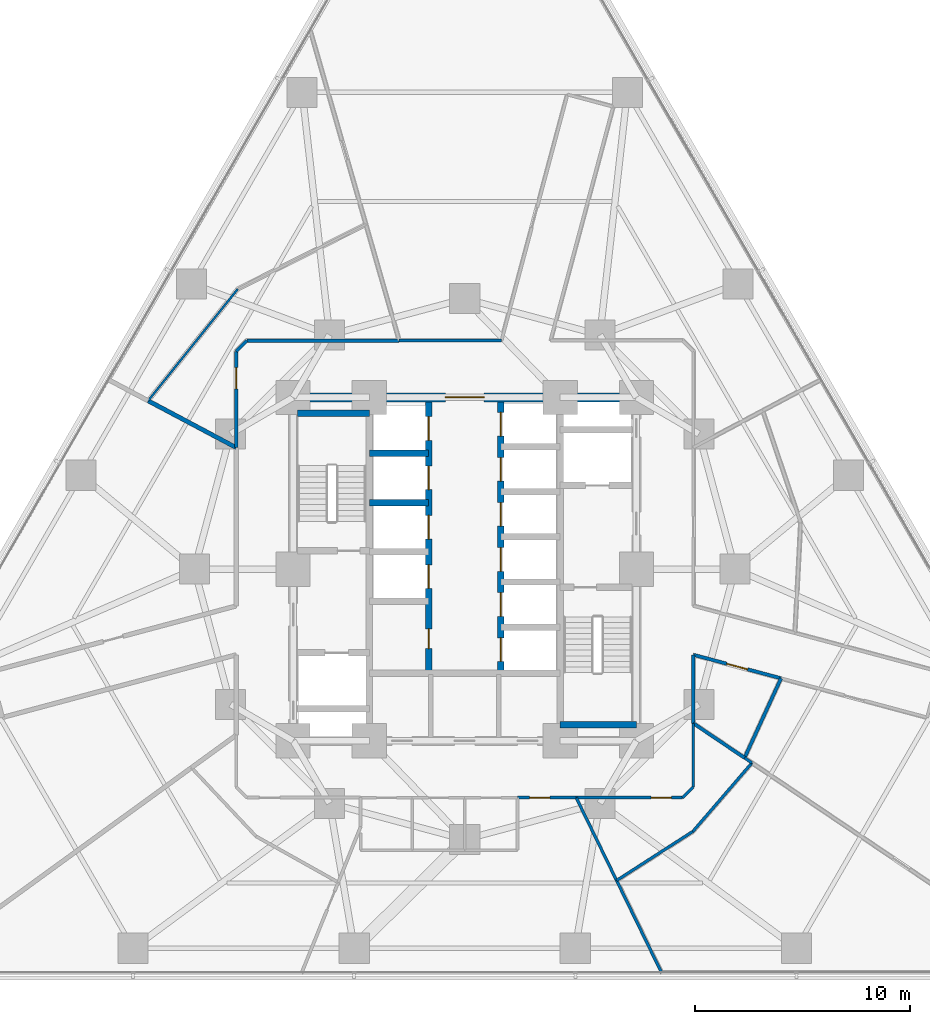
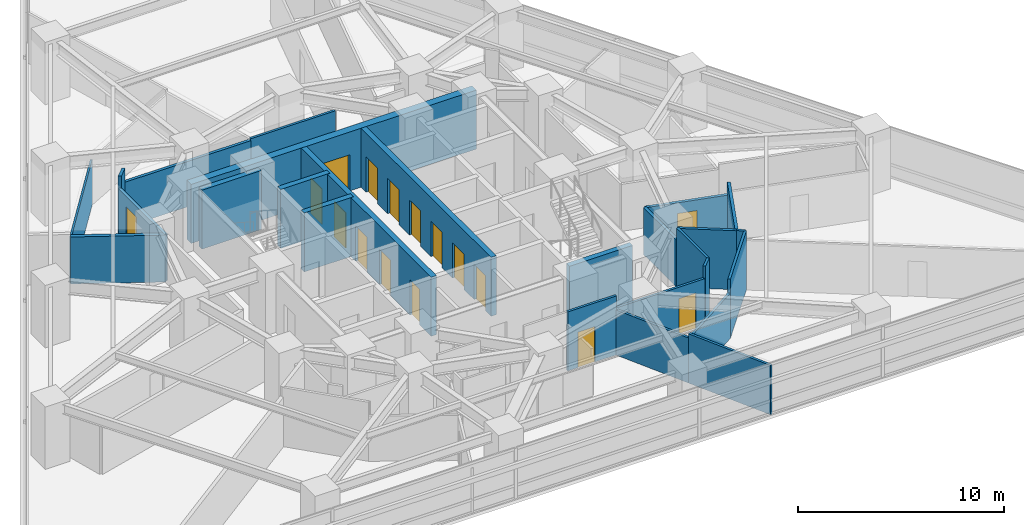
# One storey, part 9 of 16: 26 walls, 16 doors, 16 openings.
"""IFC4 building model written with IfcOpenShell, lengths in metres."""

from ifc_helpers import new_model, si_unit, direction, frame, frame_2d, origin, place, context, subcontext, project, spatial, rectangle, extrude, material, layer, layer_set, type_object, element, fill, save


model = new_model("IFC4")

# Units and contexts
model_context = context("Model", 3, precision=1e-05, world=origin(), true_north=direction((0.0, 1.0)))
body_context = subcontext(model_context, "Body", "Model", "MODEL_VIEW")
ifc_project = project(units=[si_unit("LENGTHUNIT", "METRE"), si_unit("AREAUNIT", "SQUARE_METRE"), si_unit("VOLUMEUNIT", "CUBIC_METRE"), si_unit("PLANEANGLEUNIT", "RADIAN"), si_unit("MASSUNIT", "GRAM", prefix="KILO")], contexts=[model_context])

# Site, building, storey
site_placement = place(None, origin())
site = spatial("IfcSite", under=ifc_project, at=site_placement, CompositionType="ELEMENT")
building_placement = place(site_placement, origin())
building = spatial("IfcBuilding", under=site, at=building_placement, Name="Terralouvre Media Tower", CompositionType="ELEMENT")
storey_placement = place(building_placement, frame((0.0, 0.0, 40.800048828125)))
storey = spatial("IfcBuildingStorey", under=building, at=storey_placement, Name="L09", CompositionType="ELEMENT", Elevation=40.800048828125)

# Walls
ifc_material_1 = material(Name="Concrete C50/60", Category="concrete")
ifc_layer_1 = layer(ifc_material_1, 0.300048828125, Name="Core Internal Shaft Wall CW-300")
ifc_layer_set_1 = layer_set([ifc_layer_1], Name="Concrete C50/60")
wall_type_1 = type_object("IfcWallType", Name="Core Internal Shaft Wall CW-300", PredefinedType="SHEAR", material=ifc_layer_set_1)
wall_1_placement = place(storey_placement, frame((-7.7900390625, 7.260009765625, 0.0), z_axis=(0.0, 0.0, 1.0), x_axis=(1.0, 0.0, 0.0)))
element("IfcWall", 1, at=wall_1_placement, inside=storey, type_object=wall_type_1, Name="L09 Core Shaft Wall ST1F", PredefinedType="SHEAR", context=body_context, shape_type="SweptSolid", body=[
    extrude(rectangle(XDim=3.340087890625, YDim=0.300048828125, at=frame_2d((1.669921875, 0.0))), origin(), (0.0, 0.0, 1.0), 3.5),
])
wall_2_placement = place(storey_placement, frame((4.449951171875, -7.260009765625, 0.0), z_axis=(0.0, 0.0, 1.0), x_axis=(1.0, 0.0, 0.0)))
element("IfcWall", 2, at=wall_2_placement, inside=storey, type_object=wall_type_1, Name="L09 Core Shaft Wall ST2F", PredefinedType="SHEAR", context=body_context, shape_type="SweptSolid", body=[
    extrude(rectangle(XDim=3.550048828125, YDim=0.300048828125, at=frame_2d((1.77490234375, 0.0))), origin(), (0.0, 0.0, 1.0), 3.5),
])

# Wall, openings, doors
wall_3_placement = place(storey_placement, frame((-1.679931640625, -4.85009765625, 0.0), z_axis=(0.0, 0.0, 1.0), x_axis=(0.0, 1.0, 0.0)))
wall_3 = element("IfcWall", 3, at=wall_3_placement, inside=storey, type_object=wall_type_1, Name="L09 Core Shaft Wall LBW", PredefinedType="SHEAR", context=body_context, shape_type="SweptSolid", body=[
    extrude(rectangle(XDim=12.64013671875, YDim=0.300048828125, at=frame_2d((6.320068359375, 0.0))), origin(), (0.0, 0.0, 1.0), 3.5),
])
opening_1_placement = place(wall_3_placement, frame((3.949951171875, 0.0, 0.0)))
opening_1 = element("IfcOpeningElement", 4, at=opening_1_placement, cuts=wall_3, Name="Opening LD-PL", PredefinedType="OPENING", context=body_context, shape_type="SweptSolid", body=[
    extrude(rectangle(XDim=1.10009765625, YDim=2.10009765625, at=frame_2d((0.550048828125, 1.050048828125))), frame((0.0, 0.159912109375, 0.0), z_axis=(0.0, -1.0, 0.0), x_axis=(1.0, 0.0, 0.0)), (0.0, 0.0, 1.0), 0.320068359375),
])
opening_2_placement = place(wall_3_placement, frame((6.25, 0.0, 0.0)))
opening_2 = element("IfcOpeningElement", 5, at=opening_2_placement, cuts=wall_3, Name="Opening LD-PL", PredefinedType="OPENING", context=body_context, shape_type="SweptSolid", body=[
    extrude(rectangle(XDim=1.10009765625, YDim=2.10009765625, at=frame_2d((0.550048828125, 1.050048828125))), frame((0.0, 0.159912109375, 0.0), z_axis=(0.0, -1.0, 0.0), x_axis=(1.0, 0.0, 0.0)), (0.0, 0.0, 1.0), 0.320068359375),
])
opening_3_placement = place(wall_3_placement, frame((8.550048828125, 0.0, 0.0)))
opening_3 = element("IfcOpeningElement", 6, at=opening_3_placement, cuts=wall_3, Name="Opening LD-PL", PredefinedType="OPENING", context=body_context, shape_type="SweptSolid", body=[
    extrude(rectangle(XDim=1.10009765625, YDim=2.10009765625, at=frame_2d((0.550048828125, 1.050048828125))), frame((0.0, 0.159912109375, 0.0), z_axis=(0.0, -1.0, 0.0), x_axis=(1.0, 0.0, 0.0)), (0.0, 0.0, 1.0), 0.320068359375),
])
opening_4_placement = place(wall_3_placement, frame((10.85009765625, 0.0, 0.0)))
opening_4 = element("IfcOpeningElement", 7, at=opening_4_placement, cuts=wall_3, Name="Opening LD-PL", PredefinedType="OPENING", context=body_context, shape_type="SweptSolid", body=[
    extrude(rectangle(XDim=1.10009765625, YDim=2.10009765625, at=frame_2d((0.550048828125, 1.050048828125))), frame((0.0, 0.159912109375, 0.0), z_axis=(0.0, -1.0, 0.0), x_axis=(1.0, 0.0, 0.0)), (0.0, 0.0, 1.0), 0.320068359375),
])
opening_5_placement = place(wall_3_placement, frame((1.14990234375, 0.0, 0.0)))
opening_5 = element("IfcOpeningElement", 8, at=opening_5_placement, cuts=wall_3, Name="Opening FD-05-92X210", PredefinedType="OPENING", context=body_context, shape_type="SweptSolid", body=[
    extrude(rectangle(XDim=0.919921875, YDim=2.10009765625, at=frame_2d((0.4599609375, 1.050048828125))), frame((0.0, 0.159912109375, 0.0), z_axis=(0.0, -1.0, 0.0), x_axis=(1.0, 0.0, 0.0)), (0.0, 0.0, 1.0), 0.320068359375),
])
ifc_material_2 = material(Name="Galvanised steel fire-resisting leaf", Category="steel")
door_type_1 = type_object("IfcDoorType", Name="Core Accessible Closet Fire Door FD-05 (920x2100)", OperationType="NOTDEFINED", PredefinedType="DOOR", material=ifc_material_2)
door_1_placement = place(opening_5_placement, origin())
door_1 = element("IfcDoor", 9, at=door_1_placement, inside=storey, type_object=door_type_1, Name="L09 Core Cleaners Closet Door", OperationType="SINGLE_SWING_LEFT", OverallHeight=2.10009765625, OverallWidth=0.919921875, PredefinedType="DOOR", context=body_context, shape_type="SweptSolid", body=[
    extrude(rectangle(XDim=0.919921875, YDim=2.10009765625, at=frame_2d((0.4599609375, 1.050048828125))), frame((0.0, 0.02490234375, 0.0), z_axis=(0.0, -1.0, 0.0), x_axis=(1.0, 0.0, 0.0)), (0.0, 0.0, 1.0), 0.050048828125),
])
fill(opening_5, door_1)
ifc_material_3 = material(Name="Stainless steel 316 handrail and balustrade", Category="steel")
door_type_2 = type_object("IfcDoorType", Name="Passenger Lift Sliding Landing Door LD-PL", OperationType="SLIDING_TO_LEFT", PredefinedType="DOOR", material=ifc_material_3)
door_2_placement = place(opening_1_placement, origin())
door_2 = element("IfcDoor", 10, at=door_2_placement, inside=storey, type_object=door_type_2, Name="L09 Low-Rise Lift PL-L1 Landing Door", OperationType="SLIDING_TO_LEFT", OverallHeight=2.10009765625, OverallWidth=1.10009765625, PredefinedType="DOOR", context=body_context, shape_type="SweptSolid", body=[
    extrude(rectangle(XDim=1.10009765625, YDim=2.10009765625, at=frame_2d((0.550048828125, 1.050048828125))), frame((0.0, 0.02490234375, 0.0), z_axis=(0.0, -1.0, 0.0), x_axis=(1.0, 0.0, 0.0)), (0.0, 0.0, 1.0), 0.050048828125),
])
fill(opening_1, door_2)
door_3_placement = place(opening_2_placement, origin())
door_3 = element("IfcDoor", 11, at=door_3_placement, inside=storey, type_object=door_type_2, Name="L09 Low-Rise Lift PL-L2 Landing Door", OperationType="SLIDING_TO_LEFT", OverallHeight=2.10009765625, OverallWidth=1.10009765625, PredefinedType="DOOR", context=body_context, shape_type="SweptSolid", body=[
    extrude(rectangle(XDim=1.10009765625, YDim=2.10009765625, at=frame_2d((0.550048828125, 1.050048828125))), frame((0.0, 0.02490234375, 0.0), z_axis=(0.0, -1.0, 0.0), x_axis=(1.0, 0.0, 0.0)), (0.0, 0.0, 1.0), 0.050048828125),
])
fill(opening_2, door_3)
door_4_placement = place(opening_3_placement, origin())
door_4 = element("IfcDoor", 12, at=door_4_placement, inside=storey, type_object=door_type_2, Name="L09 Low-Rise Lift PL-L3 Landing Door", OperationType="SLIDING_TO_LEFT", OverallHeight=2.10009765625, OverallWidth=1.10009765625, PredefinedType="DOOR", context=body_context, shape_type="SweptSolid", body=[
    extrude(rectangle(XDim=1.10009765625, YDim=2.10009765625, at=frame_2d((0.550048828125, 1.050048828125))), frame((0.0, 0.02490234375, 0.0), z_axis=(0.0, -1.0, 0.0), x_axis=(1.0, 0.0, 0.0)), (0.0, 0.0, 1.0), 0.050048828125),
])
fill(opening_3, door_4)
door_5_placement = place(opening_4_placement, origin())
door_5 = element("IfcDoor", 13, at=door_5_placement, inside=storey, type_object=door_type_2, Name="L09 Low-Rise Lift PL-L4 Landing Door", OperationType="SLIDING_TO_LEFT", OverallHeight=2.10009765625, OverallWidth=1.10009765625, PredefinedType="DOOR", context=body_context, shape_type="SweptSolid", body=[
    extrude(rectangle(XDim=1.10009765625, YDim=2.10009765625, at=frame_2d((0.550048828125, 1.050048828125))), frame((0.0, 0.02490234375, 0.0), z_axis=(0.0, -1.0, 0.0), x_axis=(1.0, 0.0, 0.0)), (0.0, 0.0, 1.0), 0.050048828125),
])
fill(opening_4, door_5)

wall_4_placement = place(storey_placement, frame((1.679931640625, -4.85009765625, 0.0), z_axis=(0.0, 0.0, 1.0), x_axis=(0.0, 1.0, 0.0)))
wall_4 = element("IfcWall", 14, at=wall_4_placement, inside=storey, type_object=wall_type_1, Name="L09 Core Shaft Wall LBE", PredefinedType="SHEAR", context=body_context, shape_type="SweptSolid", body=[
    extrude(rectangle(XDim=12.64013671875, YDim=0.300048828125, at=frame_2d((6.320068359375, 0.0))), origin(), (0.0, 0.0, 1.0), 3.5),
])
opening_6_placement = place(wall_4_placement, frame((0.550048828125, 0.0, 0.0)))
opening_6 = element("IfcOpeningElement", 15, at=opening_6_placement, cuts=wall_4, Name="Opening LD-PL", PredefinedType="OPENING", context=body_context, shape_type="SweptSolid", body=[
    extrude(rectangle(XDim=1.10009765625, YDim=2.10009765625, at=frame_2d((0.550048828125, 1.050048828125))), frame((0.0, 0.159912109375, 0.0), z_axis=(0.0, -1.0, 0.0), x_axis=(1.0, 0.0, 0.0)), (0.0, 0.0, 1.0), 0.320068359375),
])
opening_7_placement = place(wall_4_placement, frame((2.64990234375, 0.0, 0.0)))
opening_7 = element("IfcOpeningElement", 16, at=opening_7_placement, cuts=wall_4, Name="Opening LD-PL", PredefinedType="OPENING", context=body_context, shape_type="SweptSolid", body=[
    extrude(rectangle(XDim=1.10009765625, YDim=2.10009765625, at=frame_2d((0.550048828125, 1.050048828125))), frame((0.0, 0.159912109375, 0.0), z_axis=(0.0, -1.0, 0.0), x_axis=(1.0, 0.0, 0.0)), (0.0, 0.0, 1.0), 0.320068359375),
])
opening_8_placement = place(wall_4_placement, frame((4.75, 0.0, 0.0)))
opening_8 = element("IfcOpeningElement", 17, at=opening_8_placement, cuts=wall_4, Name="Opening LD-PL", PredefinedType="OPENING", context=body_context, shape_type="SweptSolid", body=[
    extrude(rectangle(XDim=1.10009765625, YDim=2.10009765625, at=frame_2d((0.550048828125, 1.050048828125))), frame((0.0, 0.159912109375, 0.0), z_axis=(0.0, -1.0, 0.0), x_axis=(1.0, 0.0, 0.0)), (0.0, 0.0, 1.0), 0.320068359375),
])
opening_9_placement = place(wall_4_placement, frame((6.85009765625, 0.0, 0.0)))
opening_9 = element("IfcOpeningElement", 18, at=opening_9_placement, cuts=wall_4, Name="Opening LD-PL", PredefinedType="OPENING", context=body_context, shape_type="SweptSolid", body=[
    extrude(rectangle(XDim=1.10009765625, YDim=2.10009765625, at=frame_2d((0.550048828125, 1.050048828125))), frame((0.0, 0.159912109375, 0.0), z_axis=(0.0, -1.0, 0.0), x_axis=(1.0, 0.0, 0.0)), (0.0, 0.0, 1.0), 0.320068359375),
])
opening_10_placement = place(wall_4_placement, frame((8.949951171875, 0.0, 0.0)))
opening_10 = element("IfcOpeningElement", 19, at=opening_10_placement, cuts=wall_4, Name="Opening LD-PL", PredefinedType="OPENING", context=body_context, shape_type="SweptSolid", body=[
    extrude(rectangle(XDim=1.10009765625, YDim=2.10009765625, at=frame_2d((0.550048828125, 1.050048828125))), frame((0.0, 0.159912109375, 0.0), z_axis=(0.0, -1.0, 0.0), x_axis=(1.0, 0.0, 0.0)), (0.0, 0.0, 1.0), 0.320068359375),
])
opening_11_placement = place(wall_4_placement, frame((11.050048828125, 0.0, 0.0)))
opening_11 = element("IfcOpeningElement", 20, at=opening_11_placement, cuts=wall_4, Name="Opening LD-PL", PredefinedType="OPENING", context=body_context, shape_type="SweptSolid", body=[
    extrude(rectangle(XDim=1.10009765625, YDim=2.10009765625, at=frame_2d((0.550048828125, 1.050048828125))), frame((0.0, 0.159912109375, 0.0), z_axis=(0.0, -1.0, 0.0), x_axis=(1.0, 0.0, 0.0)), (0.0, 0.0, 1.0), 0.320068359375),
])
door_6_placement = place(opening_6_placement, origin())
door_6 = element("IfcDoor", 21, at=door_6_placement, inside=storey, type_object=door_type_2, Name="L09 High-Rise Lift PL-H1 Landing Door", OperationType="SLIDING_TO_LEFT", OverallHeight=2.10009765625, OverallWidth=1.10009765625, PredefinedType="DOOR", context=body_context, shape_type="SweptSolid", body=[
    extrude(rectangle(XDim=1.10009765625, YDim=2.10009765625, at=frame_2d((0.550048828125, 1.050048828125))), frame((0.0, 0.02490234375, 0.0), z_axis=(0.0, -1.0, 0.0), x_axis=(1.0, 0.0, 0.0)), (0.0, 0.0, 1.0), 0.050048828125),
])
fill(opening_6, door_6)
door_7_placement = place(opening_7_placement, origin())
door_7 = element("IfcDoor", 22, at=door_7_placement, inside=storey, type_object=door_type_2, Name="L09 High-Rise Lift PL-H2 Landing Door", OperationType="SLIDING_TO_LEFT", OverallHeight=2.10009765625, OverallWidth=1.10009765625, PredefinedType="DOOR", context=body_context, shape_type="SweptSolid", body=[
    extrude(rectangle(XDim=1.10009765625, YDim=2.10009765625, at=frame_2d((0.550048828125, 1.050048828125))), frame((0.0, 0.02490234375, 0.0), z_axis=(0.0, -1.0, 0.0), x_axis=(1.0, 0.0, 0.0)), (0.0, 0.0, 1.0), 0.050048828125),
])
fill(opening_7, door_7)
door_8_placement = place(opening_8_placement, origin())
door_8 = element("IfcDoor", 23, at=door_8_placement, inside=storey, type_object=door_type_2, Name="L09 High-Rise Lift PL-H3 Landing Door", OperationType="SLIDING_TO_LEFT", OverallHeight=2.10009765625, OverallWidth=1.10009765625, PredefinedType="DOOR", context=body_context, shape_type="SweptSolid", body=[
    extrude(rectangle(XDim=1.10009765625, YDim=2.10009765625, at=frame_2d((0.550048828125, 1.050048828125))), frame((0.0, 0.02490234375, 0.0), z_axis=(0.0, -1.0, 0.0), x_axis=(1.0, 0.0, 0.0)), (0.0, 0.0, 1.0), 0.050048828125),
])
fill(opening_8, door_8)
door_9_placement = place(opening_9_placement, origin())
door_9 = element("IfcDoor", 24, at=door_9_placement, inside=storey, type_object=door_type_2, Name="L09 Mid-Rise Lift PL-M1 Landing Door", OperationType="SLIDING_TO_LEFT", OverallHeight=2.10009765625, OverallWidth=1.10009765625, PredefinedType="DOOR", context=body_context, shape_type="SweptSolid", body=[
    extrude(rectangle(XDim=1.10009765625, YDim=2.10009765625, at=frame_2d((0.550048828125, 1.050048828125))), frame((0.0, 0.02490234375, 0.0), z_axis=(0.0, -1.0, 0.0), x_axis=(1.0, 0.0, 0.0)), (0.0, 0.0, 1.0), 0.050048828125),
])
fill(opening_9, door_9)
door_10_placement = place(opening_10_placement, origin())
door_10 = element("IfcDoor", 25, at=door_10_placement, inside=storey, type_object=door_type_2, Name="L09 Mid-Rise Lift PL-M2 Landing Door", OperationType="SLIDING_TO_LEFT", OverallHeight=2.10009765625, OverallWidth=1.10009765625, PredefinedType="DOOR", context=body_context, shape_type="SweptSolid", body=[
    extrude(rectangle(XDim=1.10009765625, YDim=2.10009765625, at=frame_2d((0.550048828125, 1.050048828125))), frame((0.0, 0.02490234375, 0.0), z_axis=(0.0, -1.0, 0.0), x_axis=(1.0, 0.0, 0.0)), (0.0, 0.0, 1.0), 0.050048828125),
])
fill(opening_10, door_10)
door_11_placement = place(opening_11_placement, origin())
door_11 = element("IfcDoor", 26, at=door_11_placement, inside=storey, type_object=door_type_2, Name="L09 Mid-Rise Lift PL-M3 Landing Door", OperationType="SLIDING_TO_LEFT", OverallHeight=2.10009765625, OverallWidth=1.10009765625, PredefinedType="DOOR", context=body_context, shape_type="SweptSolid", body=[
    extrude(rectangle(XDim=1.10009765625, YDim=2.10009765625, at=frame_2d((0.550048828125, 1.050048828125))), frame((0.0, 0.02490234375, 0.0), z_axis=(0.0, -1.0, 0.0), x_axis=(1.0, 0.0, 0.0)), (0.0, 0.0, 1.0), 0.050048828125),
])
fill(opening_11, door_11)

# Walls
for number, where, z_axis, x_axis, name in (
    (27, (-4.449951171875, 3.10009765625, 0.0), (0.0, 0.0, 1.0), (1.0, 0.0, 0.0), "L09 Core Shaft Wall PLLD2"),
    (28, (-4.449951171875, 5.39990234375, 0.0), (0.0, 0.0, 1.0), (1.0, 0.0, 0.0), "L09 Core Shaft Wall PLLD3"),
):
    element("IfcWall", number, at=place(storey_placement, frame(where, z_axis=z_axis, x_axis=x_axis)), inside=storey, type_object=wall_type_1, Name=name, PredefinedType="SHEAR", context=body_context, shape_type="SweptSolid", body=[
        extrude(rectangle(XDim=2.77001953125, YDim=0.300048828125, at=frame_2d((1.385009765625, 0.0))), origin(), (0.0, 0.0, 1.0), 3.5),
    ])

# Wall, opening, door
ifc_material_4 = material(Name="Concrete C60/75", Category="concrete")
ifc_layer_2 = layer(ifc_material_4, 0.419921875, Name="Core Reinforced Concrete Shear Wall CW-420")
ifc_layer_set_2 = layer_set([ifc_layer_2], Name="Concrete C60/75")
wall_type_2 = type_object("IfcWallType", Name="Core Reinforced Concrete Shear Wall CW-420", PredefinedType="SHEAR", material=ifc_layer_set_2)
wall_5_placement = place(storey_placement, frame((-8.0, 8.0, 0.0), z_axis=(0.0, 0.0, 1.0), x_axis=(1.0, 0.0, 0.0)))
wall_5 = element("IfcWall", 29, at=wall_5_placement, inside=storey, type_object=wall_type_2, Name="L09 N Core Shear Wall", PredefinedType="SHEAR", context=body_context, shape_type="SweptSolid", body=[
    extrude(rectangle(XDim=16.0, YDim=0.419921875, at=frame_2d((8.0, 0.0))), origin(), (0.0, 0.0, 1.0), 3.5),
])
opening_12_placement = place(wall_5_placement, frame((7.10009765625, 0.0, 0.0)))
opening_12 = element("IfcOpeningElement", 30, at=opening_12_placement, cuts=wall_5, Name="Opening FD-03", PredefinedType="OPENING", context=body_context, shape_type="SweptSolid", body=[
    extrude(rectangle(XDim=1.800048828125, YDim=2.14990234375, at=frame_2d((0.89990234375, 1.074951171875))), frame((0.0, 0.219970703125, 0.0), z_axis=(0.0, -1.0, 0.0), x_axis=(1.0, 0.0, 0.0)), (0.0, 0.0, 1.0), 0.43994140625),
])
ifc_material_5 = material(Name="Galvanised steel fire-resisting leaf", Category="steel")
door_type_3 = type_object("IfcDoorType", Name="Corridor Smoke-Control Double Door FD-03", OperationType="DOUBLE_DOOR_SINGLE_SWING", PredefinedType="DOOR", material=ifc_material_5)
door_12_placement = place(opening_12_placement, origin())
door_12 = element("IfcDoor", 31, at=door_12_placement, inside=storey, type_object=door_type_3, Name="L09 Central Lift Lobby Portal Door", OperationType="DOUBLE_DOOR_SINGLE_SWING", OverallHeight=2.14990234375, OverallWidth=1.800048828125, PredefinedType="DOOR", context=body_context, shape_type="SweptSolid", body=[
    extrude(rectangle(XDim=1.800048828125, YDim=2.14990234375, at=frame_2d((0.89990234375, 1.074951171875))), frame((0.0, 0.02490234375, 0.0), z_axis=(0.0, -1.0, 0.0), x_axis=(1.0, 0.0, 0.0)), (0.0, 0.0, 1.0), 0.050048828125),
])
fill(opening_12, door_12)

# Walls
ifc_material_6 = material(Name="Low-iron laminated double glazing with solar-control coating", Category="glass")
ifc_layer_3 = layer(ifc_material_6, 0.10009765625, Name="Demountable Glazed Office Partition PT-GL100")
ifc_layer_set_3 = layer_set([ifc_layer_3], Name="Low-iron laminated double glazing with solar-control coating")
wall_type_3 = type_object("IfcWallType", Name="Demountable Glazed Office Partition PT-GL100", PredefinedType="MOVABLE", material=ifc_layer_set_3)
wall_6_placement = place(storey_placement, frame((-14.7548828125, 7.844970703125, 0.0), z_axis=(0.0, 0.0, 1.0), x_axis=(0.625893000506, 0.779908938222, 0.0)))
element("IfcWall", 32, at=wall_6_placement, inside=storey, type_object=wall_type_3, Name="L09 Interior Partition 063", PredefinedType="MOVABLE", context=body_context, shape_type="SweptSolid", body=[
    extrude(rectangle(XDim=6.681396484375, YDim=0.10009765625, at=frame_2d((3.3408203125, 0.0))), origin(), (0.0, 0.0, 1.0), 2.68505859375),
])
ifc_material_7 = material(Name="Fire-rated gypsum board drywall partition")
ifc_layer_4 = layer(ifc_material_7, 0.199951171875, Name="Fire-Rated Shaft and Lobby Partition FW-200")
ifc_layer_set_4 = layer_set([ifc_layer_4], Name="Fire-rated gypsum board drywall partition")
wall_type_4 = type_object("IfcWallType", Name="Fire-Rated Shaft and Lobby Partition FW-200", PredefinedType="SOLIDWALL", material=ifc_layer_set_4)
wall_7_placement = place(storey_placement, frame((-10.64990234375, 5.6630859375, 0.0), z_axis=(0.0, 0.0, 1.0), x_axis=(-0.883016425854, 0.46934208385, 0.0)))
element("IfcWall", 33, at=wall_7_placement, inside=storey, type_object=wall_type_4, Name="L09 Interior Partition 040", PredefinedType="SOLIDWALL", context=body_context, shape_type="SweptSolid", body=[
    extrude(rectangle(XDim=4.64892578125, YDim=0.199951171875, at=frame_2d((2.324462890625, 0.0))), origin(), (0.0, 0.0, 1.0), 2.784912109375),
])
ifc_material_8 = material(Name="Fire-rated gypsum board drywall partition")
ifc_layer_5 = layer(ifc_material_8, 0.135009765625, Name="Newsroom Acoustic Partition PT-135")
ifc_layer_set_5 = layer_set([ifc_layer_5], Name="Fire-rated gypsum board drywall partition")
wall_type_5 = type_object("IfcWallType", Name="Newsroom Acoustic Partition PT-135", PredefinedType="PARTITIONING", material=ifc_layer_set_5)
wall_8_placement = place(storey_placement, frame((1.715087890625, 10.64990234375, 0.0), z_axis=(0.0, 0.0, 1.0), x_axis=(-1.0, 0.0, 0.0)))
element("IfcWall", 34, at=wall_8_placement, inside=storey, type_object=wall_type_5, Name="L09 Interior Partition 007", PredefinedType="PARTITIONING", context=body_context, shape_type="SweptSolid", body=[
    extrude(rectangle(XDim=4.76904296875, YDim=0.135009765625, at=frame_2d((2.384521484375, 0.0))), origin(), (0.0, 0.0, 1.0), 2.784912109375),
])

# Wall, opening, door
wall_9_placement = place(storey_placement, frame((2.449951171875, -10.64990234375, 0.0), z_axis=(0.0, 0.0, 1.0), x_axis=(1.0, 0.0, 0.0)))
wall_9 = element("IfcWall", 35, at=wall_9_placement, inside=storey, type_object=wall_type_5, Name="L09 Interior Partition 025", PredefinedType="PARTITIONING", context=body_context, shape_type="SweptSolid", body=[
    extrude(rectangle(XDim=2.744140625, YDim=0.135009765625, at=frame_2d((1.3720703125, 0.0))), origin(), (0.0, 0.0, 1.0), 3.5),
])
opening_13_placement = place(wall_9_placement, frame((0.567626953125, 0.0, 0.0)))
opening_13 = element("IfcOpeningElement", 36, at=opening_13_placement, cuts=wall_9, Name="Opening ID-02-95X210", PredefinedType="OPENING", context=body_context, shape_type="SweptSolid", body=[
    extrude(rectangle(XDim=0.949951171875, YDim=2.10009765625, at=frame_2d((0.47509765625, 1.050048828125))), frame((0.0, 0.077392578125, 0.0), z_axis=(0.0, -1.0, 0.0), x_axis=(1.0, 0.0, 0.0)), (0.0, 0.0, 1.0), 0.155029296875),
])
ifc_material_9 = material(Name="Engineered hardwood acoustic timber leaf", Category="wood")
door_type_4 = type_object("IfcDoorType", Name="Office and Meeting Room Door ID-02 (950x2100)", OperationType="NOTDEFINED", PredefinedType="DOOR", material=ifc_material_9)
door_13_placement = place(opening_13_placement, origin())
door_13 = element("IfcDoor", 37, at=door_13_placement, inside=storey, type_object=door_type_4, Name="L09 Stage Prop Archive Storage 8 Door", OperationType="SINGLE_SWING_RIGHT", OverallHeight=2.10009765625, OverallWidth=0.949951171875, PredefinedType="DOOR", context=body_context, shape_type="SweptSolid", body=[
    extrude(rectangle(XDim=0.949951171875, YDim=2.10009765625, at=frame_2d((0.47509765625, 1.050048828125))), frame((0.0, 0.02490234375, 0.0), z_axis=(0.0, -1.0, 0.0), x_axis=(1.0, 0.0, 0.0)), (0.0, 0.0, 1.0), 0.050048828125),
])
fill(opening_13, door_13)

wall_10_placement = place(storey_placement, frame((5.194091796875, -10.64990234375, 0.0), z_axis=(0.0, 0.0, 1.0), x_axis=(1.0, 0.0, 0.0)))
wall_10 = element("IfcWall", 38, at=wall_10_placement, inside=storey, type_object=wall_type_5, Name="L09 Interior Partition 027", PredefinedType="PARTITIONING", context=body_context, shape_type="SweptSolid", body=[
    extrude(rectangle(XDim=4.955810546875, YDim=0.135009765625, at=frame_2d((2.47802734375, 0.0))), origin(), (0.0, 0.0, 1.0), 2.784912109375),
])
opening_14_placement = place(wall_10_placement, frame((3.48974609375, 0.0, 0.0)))
opening_14 = element("IfcOpeningElement", 39, at=opening_14_placement, cuts=wall_10, Name="Opening ID-02-95X210", PredefinedType="OPENING", context=body_context, shape_type="SweptSolid", body=[
    extrude(rectangle(XDim=0.949951171875, YDim=2.10009765625, at=frame_2d((0.47509765625, 1.050048828125))), frame((0.0, 0.077392578125, 0.0), z_axis=(0.0, -1.0, 0.0), x_axis=(1.0, 0.0, 0.0)), (0.0, 0.0, 1.0), 0.155029296875),
])
door_14_placement = place(opening_14_placement, origin())
door_14 = element("IfcDoor", 40, at=door_14_placement, inside=storey, type_object=door_type_4, Name="L09 Presenter Hospitality Lounge 9 Door", OperationType="SINGLE_SWING_RIGHT", OverallHeight=2.10009765625, OverallWidth=0.949951171875, PredefinedType="DOOR", context=body_context, shape_type="SweptSolid", body=[
    extrude(rectangle(XDim=0.949951171875, YDim=2.10009765625, at=frame_2d((0.47509765625, 1.050048828125))), frame((0.0, 0.02490234375, 0.0), z_axis=(0.0, -1.0, 0.0), x_axis=(1.0, 0.0, 0.0)), (0.0, 0.0, 1.0), 0.050048828125),
])
fill(opening_14, door_14)

# Walls
wall_11_placement = place(storey_placement, frame((10.14990234375, -10.64990234375, 0.0), z_axis=(0.0, 0.0, 1.0), x_axis=(0.707106781187, 0.707106781187, 0.0)))
element("IfcWall", 41, at=wall_11_placement, inside=storey, type_object=wall_type_5, Name="L09 Interior Partition 028", PredefinedType="PARTITIONING", context=body_context, shape_type="SweptSolid", body=[
    extrude(rectangle(XDim=0.70703125, YDim=0.135009765625, at=frame_2d((0.353515625, 0.0))), origin(), (0.0, 0.0, 1.0), 3.5),
])
wall_12_placement = place(storey_placement, frame((10.64990234375, -10.14990234375, 0.0), z_axis=(0.0, 0.0, 1.0), x_axis=(0.0, 1.0, 0.0)))
element("IfcWall", 42, at=wall_12_placement, inside=storey, type_object=wall_type_5, Name="L09 Interior Partition 029", PredefinedType="PARTITIONING", context=body_context, shape_type="SweptSolid", body=[
    extrude(rectangle(XDim=2.9658203125, YDim=0.135009765625, at=frame_2d((1.48291015625, 0.0))), origin(), (0.0, 0.0, 1.0), 3.5),
])
wall_13_placement = place(storey_placement, frame((13.0380859375, -8.7939453125, 0.0), z_axis=(0.0, 0.0, 1.0), x_axis=(0.828163729679, -0.560486250361, 0.0)))
element("IfcWall", 43, at=wall_13_placement, inside=storey, type_object=wall_type_5, Name="L09 Interior Partition 045", PredefinedType="PARTITIONING", context=body_context, shape_type="SweptSolid", body=[
    extrude(rectangle(XDim=0.417724609375, YDim=0.135009765625, at=frame_2d((0.208984375, 0.0))), origin(), (0.0, 0.0, 1.0), 3.5),
])
wall_14_placement = place(storey_placement, frame((7.076904296875, -14.510009765625, 0.0), z_axis=(0.0, 0.0, 1.0), x_axis=(-0.438392272504, 0.898783742292, 0.0)))
element("IfcWall", 44, at=wall_14_placement, inside=storey, type_object=wall_type_5, Name="L09 Interior Partition 059", PredefinedType="PARTITIONING", context=body_context, shape_type="SweptSolid", body=[
    extrude(rectangle(XDim=4.294921875, YDim=0.135009765625, at=frame_2d((2.1474609375, 0.0))), origin(), (0.0, 0.0, 1.0), 2.675048828125),
])
wall_15_placement = place(storey_placement, frame((9.1875, -18.8369140625, 0.0), z_axis=(0.0, 0.0, 1.0), x_axis=(-0.438408644876, 0.898775756292, 0.0)))
element("IfcWall", 45, at=wall_15_placement, inside=storey, type_object=wall_type_5, Name="L09 Interior Partition 060", PredefinedType="PARTITIONING", context=body_context, shape_type="SweptSolid", body=[
    extrude(rectangle(XDim=4.814208984375, YDim=0.135009765625, at=frame_2d((2.4072265625, 0.0))), origin(), (0.0, 0.0, 1.0), 2.925048828125),
])
wall_16_placement = place(storey_placement, frame((7.076904296875, -14.510009765625, 0.0), z_axis=(0.0, 0.0, 1.0), x_axis=(0.841056333741, 0.540947542258, 0.0)))
element("IfcWall", 46, at=wall_16_placement, inside=storey, type_object=wall_type_5, Name="L09 Interior Partition 061", PredefinedType="PARTITIONING", context=body_context, shape_type="SweptSolid", body=[
    extrude(rectangle(XDim=4.22216796875, YDim=0.135009765625, at=frame_2d((2.111083984375, 0.0))), origin(), (0.0, 0.0, 1.0), 2.68505859375),
])
wall_17_placement = place(storey_placement, frame((10.6279296875, -12.22607421875, 0.0), z_axis=(0.0, 0.0, 1.0), x_axis=(0.652832083446, 0.757502654004, 0.0)))
element("IfcWall", 47, at=wall_17_placement, inside=storey, type_object=wall_type_5, Name="L09 Interior Partition 062", PredefinedType="PARTITIONING", context=body_context, shape_type="SweptSolid", body=[
    extrude(rectangle(XDim=4.2216796875, YDim=0.135009765625, at=frame_2d((2.11083984375, 0.0))), origin(), (0.0, 0.0, 1.0), 3.5),
])
ifc_material_10 = material(Name="Fire-rated gypsum board drywall partition")
ifc_layer_6 = layer(ifc_material_10, 0.159912109375, Name="Studio Acoustic Rated Partition PT-160")
ifc_layer_set_6 = layer_set([ifc_layer_6], Name="Fire-rated gypsum board drywall partition")
wall_type_6 = type_object("IfcWallType", Name="Studio Acoustic Rated Partition PT-160", PredefinedType="PARTITIONING", material=ifc_layer_set_6)
wall_18_placement = place(storey_placement, frame((10.64990234375, -7.18408203125, 0.0), z_axis=(0.0, 0.0, 1.0), x_axis=(0.0, 1.0, 0.0)))
element("IfcWall", 48, at=wall_18_placement, inside=storey, type_object=wall_type_6, Name="L09 Interior Partition 013", PredefinedType="PARTITIONING", context=body_context, shape_type="SweptSolid", body=[
    extrude(rectangle(XDim=3.192138671875, YDim=0.159912109375, at=frame_2d((1.59619140625, 0.0))), origin(), (0.0, 0.0, 1.0), 2.784912109375),
])

# Wall, opening, door
wall_19_placement = place(storey_placement, frame((10.64990234375, -3.991943359375, 0.0), z_axis=(0.0, 0.0, 1.0), x_axis=(0.965925146235, -0.258821583086, 0.0)))
wall_19 = element("IfcWall", 49, at=wall_19_placement, inside=storey, type_object=wall_type_6, Name="L09 Interior Partition 014", PredefinedType="PARTITIONING", context=body_context, shape_type="SweptSolid", body=[
    extrude(rectangle(XDim=4.234375, YDim=0.159912109375, at=frame_2d((2.1171875, 0.0))), origin(), (0.0, 0.0, 1.0), 2.784912109375),
])
opening_15_placement = place(wall_19_placement, frame((1.6171875, 0.0, 0.0)))
opening_15 = element("IfcOpeningElement", 50, at=opening_15_placement, cuts=wall_19, Name="Opening ID-01-100X215", PredefinedType="OPENING", context=body_context, shape_type="SweptSolid", body=[
    extrude(rectangle(XDim=1.0, YDim=2.14990234375, at=frame_2d((0.5, 1.074951171875))), frame((0.0, 0.08984375, 0.0), z_axis=(0.0, -1.0, 0.0), x_axis=(1.0, 0.0, 0.0)), (0.0, 0.0, 1.0), 0.179931640625),
])
ifc_material_11 = material(Name="Engineered hardwood acoustic timber leaf", Category="wood")
door_type_5 = type_object("IfcDoorType", Name="Broadcast Studio Acoustic Single Door ID-01 (1000x2150)", OperationType="NOTDEFINED", PredefinedType="DOOR", material=ifc_material_11)
door_15_placement = place(opening_15_placement, origin())
door_15 = element("IfcDoor", 51, at=door_15_placement, inside=storey, type_object=door_type_5, Name="L09 Preview Screening Cinema 3 Door", OperationType="SINGLE_SWING_RIGHT", OverallHeight=2.14990234375, OverallWidth=1.0, PredefinedType="DOOR", context=body_context, shape_type="SweptSolid", body=[
    extrude(rectangle(XDim=1.0, YDim=2.14990234375, at=frame_2d((0.5, 1.074951171875))), frame((0.0, 0.02490234375, 0.0), z_axis=(0.0, -1.0, 0.0), x_axis=(1.0, 0.0, 0.0)), (0.0, 0.0, 1.0), 0.050048828125),
])
fill(opening_15, door_15)

# Walls
wall_20_placement = place(storey_placement, frame((-3.053955078125, 10.64990234375, 0.0), z_axis=(0.0, 0.0, 1.0), x_axis=(-1.0, 0.0, 0.0)))
element("IfcWall", 52, at=wall_20_placement, inside=storey, type_object=wall_type_6, Name="L09 Interior Partition 030", PredefinedType="PARTITIONING", context=body_context, shape_type="SweptSolid", body=[
    extrude(rectangle(XDim=7.095947265625, YDim=0.159912109375, at=frame_2d((3.5478515625, 0.0))), origin(), (0.0, 0.0, 1.0), 2.68505859375),
])
wall_21_placement = place(storey_placement, frame((-10.14990234375, 10.64990234375, 0.0), z_axis=(0.0, 0.0, 1.0), x_axis=(-0.707106781187, -0.707106781187, 0.0)))
element("IfcWall", 53, at=wall_21_placement, inside=storey, type_object=wall_type_6, Name="L09 Interior Partition 031", PredefinedType="PARTITIONING", context=body_context, shape_type="SweptSolid", body=[
    extrude(rectangle(XDim=0.70703125, YDim=0.159912109375, at=frame_2d((0.353515625, 0.0))), origin(), (0.0, 0.0, 1.0), 3.5),
])

# Wall, opening, door
wall_22_placement = place(storey_placement, frame((-10.64990234375, 10.14990234375, 0.0), z_axis=(0.0, 0.0, 1.0), x_axis=(0.0, -1.0, 0.0)))
wall_22 = element("IfcWall", 54, at=wall_22_placement, inside=storey, type_object=wall_type_6, Name="L09 Interior Partition 032", PredefinedType="PARTITIONING", context=body_context, shape_type="SweptSolid", body=[
    extrude(rectangle(XDim=4.48681640625, YDim=0.159912109375, at=frame_2d((2.243408203125, 0.0))), origin(), (0.0, 0.0, 1.0), 2.784912109375),
])
opening_16_placement = place(wall_22_placement, frame((0.75634765625, 0.0, 0.0)))
opening_16 = element("IfcOpeningElement", 55, at=opening_16_placement, cuts=wall_22, Name="Opening ID-01-100X215", PredefinedType="OPENING", context=body_context, shape_type="SweptSolid", body=[
    extrude(rectangle(XDim=1.0, YDim=2.14990234375, at=frame_2d((0.5, 1.074951171875))), frame((0.0, 0.08984375, 0.0), z_axis=(0.0, -1.0, 0.0), x_axis=(1.0, 0.0, 0.0)), (0.0, 0.0, 1.0), 0.179931640625),
])
door_16_placement = place(opening_16_placement, origin())
door_16 = element("IfcDoor", 56, at=door_16_placement, inside=storey, type_object=door_type_5, Name="L09 Technical Operations Control Room 12 Door", OperationType="SINGLE_SWING_LEFT", OverallHeight=2.14990234375, OverallWidth=1.0, PredefinedType="DOOR", context=body_context, shape_type="SweptSolid", body=[
    extrude(rectangle(XDim=1.0, YDim=2.14990234375, at=frame_2d((0.5, 1.074951171875))), frame((0.0, 0.02490234375, 0.0), z_axis=(0.0, -1.0, 0.0), x_axis=(1.0, 0.0, 0.0)), (0.0, 0.0, 1.0), 0.050048828125),
])
fill(opening_16, door_16)

# Walls
wall_23_placement = place(storey_placement, frame((13.0380859375, -8.7939453125, 0.0), z_axis=(0.0, 0.0, 1.0), x_axis=(0.417322480709, 0.908758464662, 0.0)))
element("IfcWall", 57, at=wall_23_placement, inside=storey, type_object=wall_type_6, Name="L09 Interior Partition 041", PredefinedType="PARTITIONING", context=body_context, shape_type="SweptSolid", body=[
    extrude(rectangle(XDim=4.078125, YDim=0.159912109375, at=frame_2d((2.0390625, 0.0))), origin(), (0.0, 0.0, 1.0), 3.5),
])
wall_24_placement = place(storey_placement, frame((10.64990234375, -7.18408203125, 0.0), z_axis=(0.0, 0.0, 1.0), x_axis=(0.829196392101, -0.558957371654, 0.0)))
element("IfcWall", 58, at=wall_24_placement, inside=storey, type_object=wall_type_6, Name="L09 Interior Partition 042", PredefinedType="PARTITIONING", context=body_context, shape_type="SweptSolid", body=[
    extrude(rectangle(XDim=2.880126953125, YDim=0.159912109375, at=frame_2d((1.43994140625, 0.0))), origin(), (0.0, 0.0, 1.0), 3.5),
])

save(model, "model.ifc")
